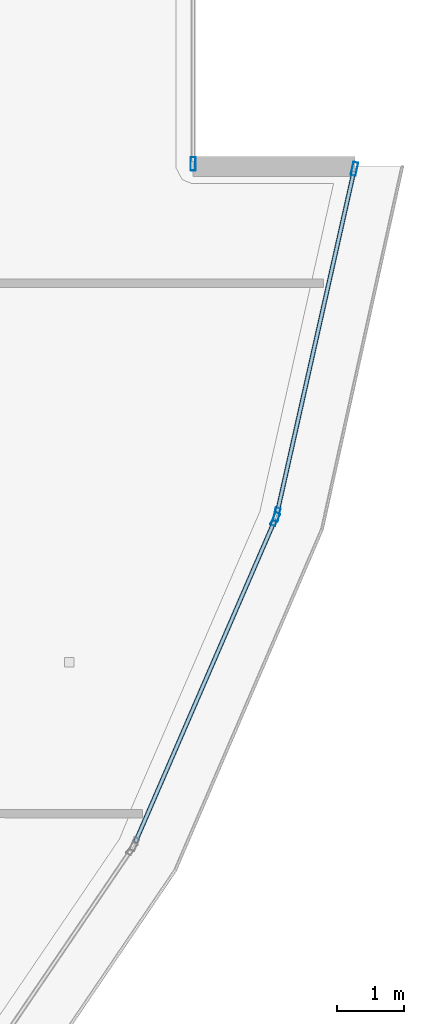
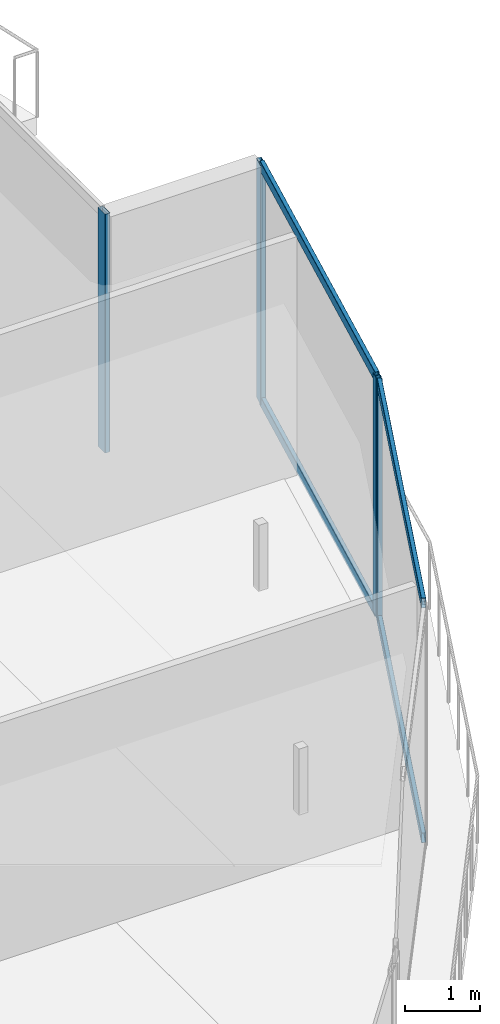
# One storey, part 11 of 30: 8 members, 3 elements without a shape of their own.
"""IFC4 building model written with IfcOpenShell, lengths in metres."""

from ifc_helpers import new_model, si_unit, direction, frame, origin, origin_2d, place, context, subcontext, project, spatial, hollow_rectangle, extrude, material, layer, layer_set, material_profile, profile_set, type_object, element, aggregate, save


model = new_model("IFC4")

# Units and contexts
model_context = context("Model", 3, precision=1e-05, world=origin(), true_north=direction((0.0, 1.0)))
body_context = subcontext(model_context, "Body", "Model", "MODEL_VIEW")
ifc_project = project(units=[si_unit("LENGTHUNIT", "METRE"), si_unit("AREAUNIT", "SQUARE_METRE"), si_unit("VOLUMEUNIT", "CUBIC_METRE"), si_unit("PLANEANGLEUNIT", "RADIAN"), si_unit("MASSUNIT", "GRAM", prefix="KILO")], contexts=[model_context])

# Site, building, storey
site_placement = place(None, origin())
site = spatial("IfcSite", under=ifc_project, at=site_placement, CompositionType="ELEMENT")
building_placement = place(site_placement, origin())
building = spatial("IfcBuilding", under=site, at=building_placement, Name="Qorvath Tower", CompositionType="ELEMENT")
storey_placement = place(building_placement, frame((0.0, 0.0, 289.199951171875)))
storey = spatial("IfcBuildingStorey", under=building, at=storey_placement, Name="L67", CompositionType="ELEMENT", Elevation=289.199951171875)

# Curtain wall, member
ifc_material_1 = material(Name="Anodised aluminium and triple low-E glass", Category="aluminium")
ifc_layer = layer(ifc_material_1, 0.179931640625)
ifc_layer_set = layer_set([ifc_layer], Name="CW-SYS-5")
curtain_wall_type = type_object("IfcCurtainWallType", Name="CW-SYS-5", PredefinedType="NOTDEFINED", material=ifc_layer_set)
curtain_wall_1_placement = place(storey_placement, origin())
curtain_wall_1 = element("IfcCurtainWall", 1, at=curtain_wall_1_placement, inside=storey, type_object=curtain_wall_type, Name="Curtain Wall CW-5 CW-T-L67-6.1", PredefinedType="NOTDEFINED")
ifc_material_2 = material(Name="Anodised aluminium 6063-T6", Category="aluminium")
ifc_material_profile_1 = material_profile(ifc_material_2, hollow_rectangle(XDim=0.074951171875, YDim=0.199951171875, WallThickness=0.00390625, InnerFilletRadius=0.00390625, OuterFilletRadius=0.008056640625, at=origin_2d()), Name="CWM 200x75")
ifc_profile_set_1 = profile_set([ifc_material_profile_1], Name="Anodised aluminium 6063-T6")
member_type_1 = type_object("IfcMemberType", Name="CWM-200", PredefinedType="MULLION", material=ifc_profile_set_1)
member_1_placement = place(storey_placement, frame((-3.66162109375, -8.839111328125, 0.0), z_axis=(0.0, 0.0, 1.0), x_axis=(-0.917563379091, 0.397589543814, 0.0)))
member_1 = element("IfcMember", 2, at=member_1_placement, type_object=member_type_1, Name="CW-5 mullion 2", PredefinedType="MULLION", context=body_context, shape_type="SweptSolid", body=[
    extrude(hollow_rectangle(XDim=0.074951171875, YDim=0.199951171875, WallThickness=0.00390625, InnerFilletRadius=0.00390625, OuterFilletRadius=0.008056640625, at=origin_2d()), origin(), (0.0, 0.0, 1.0), 3.91015625),
])

# Curtain wall, members
curtain_wall_2_placement = place(storey_placement, origin())
curtain_wall_2 = element("IfcCurtainWall", 3, at=curtain_wall_2_placement, inside=storey, type_object=curtain_wall_type, Name="Curtain Wall CW-5 CW-T-L67-7.1", PredefinedType="NOTDEFINED")
member_2_placement = place(storey_placement, frame((-3.638427734375, -8.76806640625, 0.0), z_axis=(0.0, 0.0, 1.0), x_axis=(-0.975680086847, 0.21919937986, 0.0)))
member_2 = element("IfcMember", 4, at=member_2_placement, type_object=member_type_1, Name="CW-5 mullion 1", PredefinedType="MULLION", context=body_context, shape_type="SweptSolid", body=[
    extrude(hollow_rectangle(XDim=0.074951171875, YDim=0.199951171875, WallThickness=0.00390625, InnerFilletRadius=0.00390625, OuterFilletRadius=0.008056640625, at=origin_2d()), origin(), (0.0, 0.0, 1.0), 3.91015625),
])
member_3_placement = place(storey_placement, frame((-2.486083984375, -3.638427734375, 0.0), z_axis=(0.0, 0.0, 1.0), x_axis=(-0.975680086847, 0.21919937986, 0.0)))
member_3 = element("IfcMember", 5, at=member_3_placement, type_object=member_type_1, Name="CW-5 mullion 2", PredefinedType="MULLION", context=body_context, shape_type="SweptSolid", body=[
    extrude(hollow_rectangle(XDim=0.074951171875, YDim=0.199951171875, WallThickness=0.00390625, InnerFilletRadius=0.00390625, OuterFilletRadius=0.008056640625, at=origin_2d()), origin(), (0.0, 0.0, 1.0), 3.91015625),
])

# Curtain wall, member
curtain_wall_3_placement = place(storey_placement, origin())
curtain_wall_3 = element("IfcCurtainWall", 6, at=curtain_wall_3_placement, inside=storey, type_object=curtain_wall_type, Name="Curtain Wall CW-5 CW-T-L67-9.1", PredefinedType="NOTDEFINED")
member_4_placement = place(storey_placement, frame((-4.879150390625, -3.564208984375, 0.0), z_axis=(0.0, 0.0, 1.0), x_axis=(-1.0, 0.0, 0.0)))
member_4 = element("IfcMember", 7, at=member_4_placement, type_object=member_type_1, Name="CW-5 mullion 1", PredefinedType="MULLION", context=body_context, shape_type="SweptSolid", body=[
    extrude(hollow_rectangle(XDim=0.074951171875, YDim=0.199951171875, WallThickness=0.00390625, InnerFilletRadius=0.00390625, OuterFilletRadius=0.008056640625, at=origin_2d()), origin(), (0.0, 0.0, 1.0), 3.91015625),
])
aggregate(curtain_wall_3, [member_4])

# Member
ifc_material_3 = material(Name="Anodised aluminium 6063-T6", Category="aluminium")
ifc_material_profile_2 = material_profile(ifc_material_3, hollow_rectangle(XDim=0.06494140625, YDim=0.159912109375, WallThickness=0.00341796875, InnerFilletRadius=0.00341796875, OuterFilletRadius=0.007080078125, at=origin_2d()), Name="CWT 160x65")
ifc_profile_set_2 = profile_set([ifc_material_profile_2], Name="Anodised aluminium 6063-T6")
member_type_2 = type_object("IfcMemberType", Name="CWT-160", PredefinedType="USERDEFINED", material=ifc_profile_set_2)
member_5_placement = place(storey_placement, frame((-5.737060546875, -13.628662109375, 0.032470703125), z_axis=(0.397606115565, 0.917556198206, 0.0), x_axis=(-0.917556198206, 0.397606115565, 0.0)))
member_5 = element("IfcMember", 8, at=member_5_placement, type_object=member_type_2, Name="CW-5 transom 1.1", ObjectType="TRANSOM", PredefinedType="USERDEFINED", context=body_context, shape_type="SweptSolid", body=[
    extrude(hollow_rectangle(XDim=0.06494140625, YDim=0.159912109375, WallThickness=0.00341796875, InnerFilletRadius=0.00341796875, OuterFilletRadius=0.007080078125, at=origin_2d()), origin(), (0.0, 0.0, 1.0), 5.182373046875),
])

member_6_placement = place(storey_placement, frame((-5.737060546875, -13.628662109375, 3.877685546875), z_axis=(0.397606115565, 0.917556198206, 0.0), x_axis=(-0.917556198206, 0.397606115565, 0.0)))
member_6 = element("IfcMember", 9, at=member_6_placement, type_object=member_type_2, Name="CW-5 transom 1.2", ObjectType="TRANSOM", PredefinedType="USERDEFINED", context=body_context, shape_type="SweptSolid", body=[
    extrude(hollow_rectangle(XDim=0.06494140625, YDim=0.159912109375, WallThickness=0.00341796875, InnerFilletRadius=0.00341796875, OuterFilletRadius=0.007080078125, at=origin_2d()), origin(), (0.0, 0.0, 1.0), 5.182373046875),
])

aggregate(curtain_wall_1, [member_1, member_5, member_6])

member_7_placement = place(storey_placement, frame((-3.63037109375, -8.7314453125, 0.032470703125), z_axis=(0.21924427491, 0.975669999497, 0.0), x_axis=(-0.975669999497, 0.21924427491, 0.0)))
member_7 = element("IfcMember", 10, at=member_7_placement, type_object=member_type_2, Name="CW-5 transom 1.1", ObjectType="TRANSOM", PredefinedType="USERDEFINED", context=body_context, shape_type="SweptSolid", body=[
    extrude(hollow_rectangle(XDim=0.06494140625, YDim=0.159912109375, WallThickness=0.00341796875, InnerFilletRadius=0.00341796875, OuterFilletRadius=0.007080078125, at=origin_2d()), origin(), (0.0, 0.0, 1.0), 5.182373046875),
])

member_8_placement = place(storey_placement, frame((-3.63037109375, -8.7314453125, 3.877685546875), z_axis=(0.21924427491, 0.975669999497, 0.0), x_axis=(-0.975669999497, 0.21924427491, 0.0)))
member_8 = element("IfcMember", 11, at=member_8_placement, type_object=member_type_2, Name="CW-5 transom 1.2", ObjectType="TRANSOM", PredefinedType="USERDEFINED", context=body_context, shape_type="SweptSolid", body=[
    extrude(hollow_rectangle(XDim=0.06494140625, YDim=0.159912109375, WallThickness=0.00341796875, InnerFilletRadius=0.00341796875, OuterFilletRadius=0.007080078125, at=origin_2d()), origin(), (0.0, 0.0, 1.0), 5.182373046875),
])

aggregate(curtain_wall_2, [member_2, member_3, member_7, member_8])

save(model, "model.ifc")
